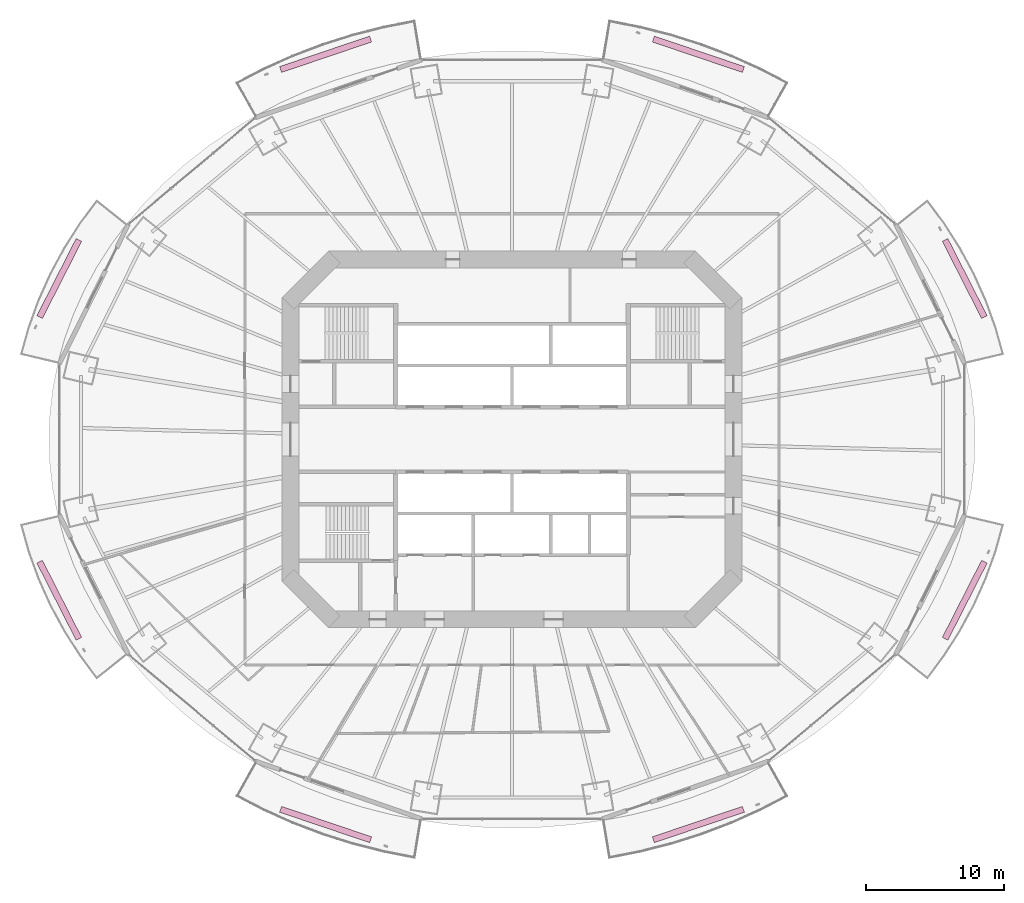
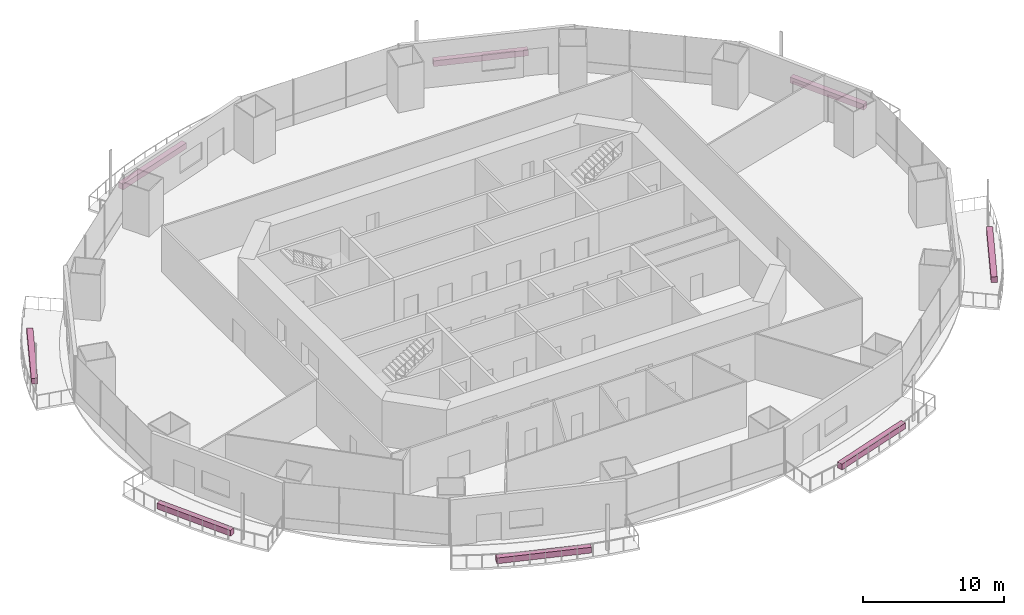
# One storey, part 20 of 20: 8 furnishings.
"""IFC4 building model written with IfcOpenShell, lengths in metres."""

import ifcopenshell
import ifcopenshell.guid

model = None  # the IFC model being written
_history = None  # IfcOwnerHistory: only IFC2X3 demands one
_inside = {}  # id of a spatial element -> (the spatial element, [elements in it])
_under = {}  # id of a project, library or spatial element -> (it, [spatial elements below it])
_declared = {}  # id of a project -> (the project, [libraries it declares])
_typed = {}  # id of a type object -> (the type object, [elements of that type])
_made_of = {}  # id of a material, layer set ... -> (it, [elements and type objects made of it])


def new_model(schema):
    """Start an empty IFC model of exactly this schema.

    Asked for "IFC4X3", IfcOpenShell would pick the latest addendum, in which some entities
    have other attributes; the version numbers below select the first issue.
    IFC2X3 requires an IfcOwnerHistory on every rooted entity: one is made here for all.
    """
    global model, _history
    if schema == "IFC4X3":
        model = ifcopenshell.file(schema_version=(4, 3, 0, 0))
    else:
        model = ifcopenshell.file(schema=schema)
    _inside.clear()
    _under.clear()
    _declared.clear()
    _typed.clear()
    _made_of.clear()
    _history = None
    if model.schema == "IFC2X3":
        org = make("IfcOrganization", Name="unknown")
        user = make(
            "IfcPersonAndOrganization",
            ThePerson=make("IfcPerson", FamilyName="unknown"),
            TheOrganization=org,
        )
        app = make(
            "IfcApplication",
            ApplicationDeveloper=org,
            Version="unknown",
            ApplicationFullName="unknown",
            ApplicationIdentifier="unknown",
        )
        _history = make(
            "IfcOwnerHistory",
            OwningUser=user,
            OwningApplication=app,
            ChangeAction="ADDED",
            CreationDate=0,
        )
    return model


def make(cls, **values):
    """One entity of the class cls with the attributes given. An attribute that is None is left unset."""
    return model.create_entity(
        cls, **{name: value for name, value in values.items() if value is not None}
    )


def rooted(cls, **values):
    """An entity with a GlobalId (a new one), such as an element, a storey or a relation."""
    return make(cls, GlobalId=ifcopenshell.guid.new(), OwnerHistory=_history, **values)


def si_unit(unit_type, name, prefix=None):
    """IfcSIUnit, for example si_unit("LENGTHUNIT", "METRE", prefix="MILLI")."""
    return make("IfcSIUnit", UnitType=unit_type, Prefix=prefix, Name=name)


def assignment(units):
    """IfcUnitAssignment: the units of a project."""
    return None if units is None else make("IfcUnitAssignment", Units=units)


def point(xyz):
    """IfcCartesianPoint."""
    return None if xyz is None else make("IfcCartesianPoint", Coordinates=xyz)


def direction(xyz):
    """IfcDirection."""
    return None if xyz is None else make("IfcDirection", DirectionRatios=xyz)


def frame(location, z_axis=None, x_axis=None):
    """IfcAxis2Placement3D, a coordinate frame: its origin and axes. An axis left out is left unset."""
    return make(
        "IfcAxis2Placement3D",
        Location=point(location),
        Axis=direction(z_axis),
        RefDirection=direction(x_axis),
    )


def frame_2d(location, x_axis=None):
    """IfcAxis2Placement2D, a coordinate frame in the plane: its origin and x axis."""
    return make(
        "IfcAxis2Placement2D", Location=point(location), RefDirection=direction(x_axis)
    )


def origin():
    """The frame at (0, 0, 0) with its axes left unset."""
    return frame((0.0, 0.0, 0.0))


def origin_2d():
    """The frame at (0, 0) in the plane with its x axis left unset."""
    return frame_2d((0.0, 0.0))


def place(relative_to, where):
    """IfcLocalPlacement: puts the frame where relative to a parent placement (None: the world)."""
    return make(
        "IfcLocalPlacement", PlacementRelTo=relative_to, RelativePlacement=where
    )


def context(
    kind, dimensions, precision=None, world=None, true_north=None, identifier=None
):
    """IfcGeometricRepresentationContext, for example the 3D "Model" context."""
    return make(
        "IfcGeometricRepresentationContext",
        ContextIdentifier=identifier,
        ContextType=kind,
        CoordinateSpaceDimension=dimensions,
        Precision=precision,
        WorldCoordinateSystem=world,
        TrueNorth=true_north,
    )


def subcontext(parent, identifier, kind, view, scale=None):
    """IfcGeometricRepresentationSubContext, for example "Body" below "Model"."""
    return make(
        "IfcGeometricRepresentationSubContext",
        ContextIdentifier=identifier,
        ContextType=kind,
        ParentContext=parent,
        TargetScale=scale,
        TargetView=view,
    )


def project(units=None, contexts=None):
    """IfcProject with its units and contexts."""
    return rooted(
        "IfcProject",
        Name="project",
        RepresentationContexts=contexts,
        UnitsInContext=assignment(units),
    )


def spatial(cls, under=None, at=None, **own):
    """A site, building, storey or space (cls), placed at a placement, below another one or the project."""
    s = rooted(cls, ObjectPlacement=at, **own)
    if under is not None:
        _under.setdefault(under.id(), (under, []))[1].append(s)
    return s


def profile(cls, at=None, kind="AREA", **sizes):
    """A parametric profile (cls). Its sizes go by their IFC names, for example OverallWidth=200.0."""
    return make(cls, ProfileType=kind, Position=at, **sizes)


def rectangle(**sizes):
    """IfcRectangleProfileDef."""
    return profile("IfcRectangleProfileDef", **sizes)


def extrude(swept, where, along, depth):
    """IfcExtrudedAreaSolid: the profile swept, set in the frame where, extruded along a direction by depth."""
    return make(
        "IfcExtrudedAreaSolid",
        SweptArea=swept,
        Position=where,
        ExtrudedDirection=direction(along),
        Depth=depth,
    )


def shape(context_of_items, identifier, shape_type, items):
    """IfcShapeRepresentation: the items that make up one representation, for example the "Body"."""
    return make(
        "IfcShapeRepresentation",
        ContextOfItems=context_of_items,
        RepresentationIdentifier=identifier,
        RepresentationType=shape_type,
        Items=items,
    )


def material(Name=None, Category=None):
    """IfcMaterial."""
    return make("IfcMaterial", Name=Name, Category=Category)


def made_of(thing, what):
    """Note that an element or type object is made of a material, layer set ...; save() writes the relation."""
    if what is not None:
        _made_of.setdefault(what.id(), (what, []))[1].append(thing)
    return thing


def type_object(cls, material=None, **own):
    """A type object (cls), such as IfcWallType, which elements share."""
    return made_of(rooted(cls, **own), material)


def element(
    cls,
    number,
    at=None,
    inside=None,
    cuts=None,
    type_object=None,
    material=None,
    context=None,
    identifier="Body",
    shape_type=None,
    held_by="IfcProductDefinitionShape",
    body=None,
    shapes=None,
    **own,
):
    """One element of the class cls, such as IfcWall. Its Tag is "e" and its number.

    at: its placement. inside: the storey or other place that contains it. cuts: it is an
    opening in that element (IfcRelVoidsElement). A single representation is given by context,
    identifier, shape_type and body (its items); several are given by shapes. held_by: the class
    of the entity that holds the representations. save() writes the other relations.
    """
    e = rooted(cls, Tag="e%d" % number, ObjectPlacement=at, **own)
    if body is not None:
        shapes = [shape(context, identifier, shape_type, body)]
    if shapes is not None:
        e.Representation = make(held_by, Representations=shapes)
    if inside is not None:
        _inside.setdefault(inside.id(), (inside, []))[1].append(e)
    if cuts is not None:
        rooted(
            "IfcRelVoidsElement", RelatingBuildingElement=cuts, RelatedOpeningElement=e
        )
    if type_object is not None:
        _typed.setdefault(type_object.id(), (type_object, []))[1].append(e)
    return made_of(e, material)


def aggregate(whole, parts):
    """IfcRelAggregates: a whole, such as a stair, and the parts it consists of."""
    return rooted("IfcRelAggregates", RelatingObject=whole, RelatedObjects=parts)


def save(model, path):
    """Write the relations noted so far, then the file.

    IfcRelAggregates (storeys below a building ...), IfcRelContainedInSpatialStructure (elements
    in a storey), IfcRelDefinesByType, IfcRelAssociatesMaterial and IfcRelDeclares: one each for
    every whole, place, type object, material and project.
    """
    for whole, parts in _under.values():
        aggregate(whole, parts)
    for where, things in _inside.values():
        rooted(
            "IfcRelContainedInSpatialStructure",
            RelatedElements=things,
            RelatingStructure=where,
        )
    for kind, things in _typed.values():
        rooted("IfcRelDefinesByType", RelatedObjects=things, RelatingType=kind)
    for what, things in _made_of.values():
        rooted("IfcRelAssociatesMaterial", RelatedObjects=things, RelatingMaterial=what)
    for by, libraries in _declared.values():
        rooted("IfcRelDeclares", RelatingContext=by, RelatedDefinitions=libraries)
    model.write(path)


model = new_model("IFC4")

# Units and contexts
model_context = context("Model", 3, precision=1e-05, world=origin(), true_north=direction((0.0, 1.0)))
body_context = subcontext(model_context, "Body", "Model", "MODEL_VIEW")
ifc_project = project(units=[si_unit("LENGTHUNIT", "METRE"), si_unit("AREAUNIT", "SQUARE_METRE"), si_unit("VOLUMEUNIT", "CUBIC_METRE"), si_unit("PLANEANGLEUNIT", "RADIAN"), si_unit("MASSUNIT", "GRAM", prefix="KILO")], contexts=[model_context])

# Site, building, storey
site_placement = place(None, origin())
site = spatial("IfcSite", under=ifc_project, at=site_placement, CompositionType="ELEMENT")
building_placement = place(site_placement, origin())
building = spatial("IfcBuilding", under=site, at=building_placement, Name="Marenthal Gate Tower", CompositionType="ELEMENT")
storey_placement = place(building_placement, frame((0.0, 0.0, 136.75)))
storey = spatial("IfcBuildingStorey", under=building, at=storey_placement, Name="L29", CompositionType="ELEMENT", Elevation=136.75)

# Furnishings
ifc_material = material(Name="Planting soil and foliage", Category="planting")
furnishing_element_type = type_object("IfcFurnishingElementType", Name="Balcony PLANTER trough", material=ifc_material)
furnishing_1_placement = place(storey_placement, frame((32.708251953125, 11.61865234375, -0.0400390625), z_axis=(0.0, 0.0, 1.0), x_axis=(-0.453791430761, 0.891107926891, 0.0)))
element("IfcFurnishingElement", 1, at=furnishing_1_placement, inside=storey, type_object=furnishing_element_type, Name="Balcony PLANTER L29 bay 1", ObjectType="PLANTER", context=body_context, shape_type="SweptSolid", body=[
    extrude(rectangle(XDim=6.254150390625, YDim=0.449951171875, at=origin_2d()), origin(), (0.0, 0.0, 1.0), 0.5),
])
for number, where, z_axis, x_axis, name in (
    (2, (13.466796875, 27.822021484375, -0.0400390625), (0.0, 0.0, 1.0), (-0.947337727777, 0.320236208962, 0.0), "Balcony PLANTER L29 bay 3"),
    (3, (-13.466796875, 27.822021484375, -0.0400390625), (0.0, 0.0, 1.0), (-0.947337727777, -0.320236208962, 0.0), "Balcony PLANTER L29 bay 5"),
):
    element("IfcFurnishingElement", number, at=place(storey_placement, frame(where, z_axis=z_axis, x_axis=x_axis)), inside=storey, type_object=furnishing_element_type, Name=name, ObjectType="PLANTER", context=body_context, shape_type="SweptSolid", body=[
        extrude(rectangle(XDim=6.866455078125, YDim=0.449951171875, at=origin_2d()), origin(), (0.0, 0.0, 1.0), 0.5),
    ])
for number, where, z_axis, x_axis, name in (
    (4, (-32.708251953125, 11.61865234375, -0.0400390625), (0.0, 0.0, 1.0), (-0.453791430761, -0.891107926891, 0.0), "Balcony PLANTER L29 bay 7"),
    (5, (-32.708251953125, -11.61865234375, -0.0400390625), (0.0, 0.0, 1.0), (0.453791430761, -0.891107926891, 0.0), "Balcony PLANTER L29 bay 9"),
):
    element("IfcFurnishingElement", number, at=place(storey_placement, frame(where, z_axis=z_axis, x_axis=x_axis)), inside=storey, type_object=furnishing_element_type, Name=name, ObjectType="PLANTER", context=body_context, shape_type="SweptSolid", body=[
        extrude(rectangle(XDim=6.254150390625, YDim=0.449951171875, at=origin_2d()), origin(), (0.0, 0.0, 1.0), 0.5),
    ])
for number, where, z_axis, x_axis, name in (
    (6, (-13.466796875, -27.822021484375, -0.0400390625), (0.0, 0.0, 1.0), (0.947337727777, -0.320236208962, 0.0), "Balcony PLANTER L29 bay 11"),
    (7, (13.466796875, -27.822021484375, -0.0400390625), (0.0, 0.0, 1.0), (0.947337727777, 0.320236208962, 0.0), "Balcony PLANTER L29 bay 13"),
):
    element("IfcFurnishingElement", number, at=place(storey_placement, frame(where, z_axis=z_axis, x_axis=x_axis)), inside=storey, type_object=furnishing_element_type, Name=name, ObjectType="PLANTER", context=body_context, shape_type="SweptSolid", body=[
        extrude(rectangle(XDim=6.866455078125, YDim=0.449951171875, at=origin_2d()), origin(), (0.0, 0.0, 1.0), 0.5),
    ])
furnishing_2_placement = place(storey_placement, frame((32.708251953125, -11.61865234375, -0.0400390625), z_axis=(0.0, 0.0, 1.0), x_axis=(0.453791430761, 0.891107926891, 0.0)))
element("IfcFurnishingElement", 8, at=furnishing_2_placement, inside=storey, type_object=furnishing_element_type, Name="Balcony PLANTER L29 bay 15", ObjectType="PLANTER", context=body_context, shape_type="SweptSolid", body=[
    extrude(rectangle(XDim=6.254150390625, YDim=0.449951171875, at=origin_2d()), origin(), (0.0, 0.0, 1.0), 0.5),
])

save(model, "model.ifc")
